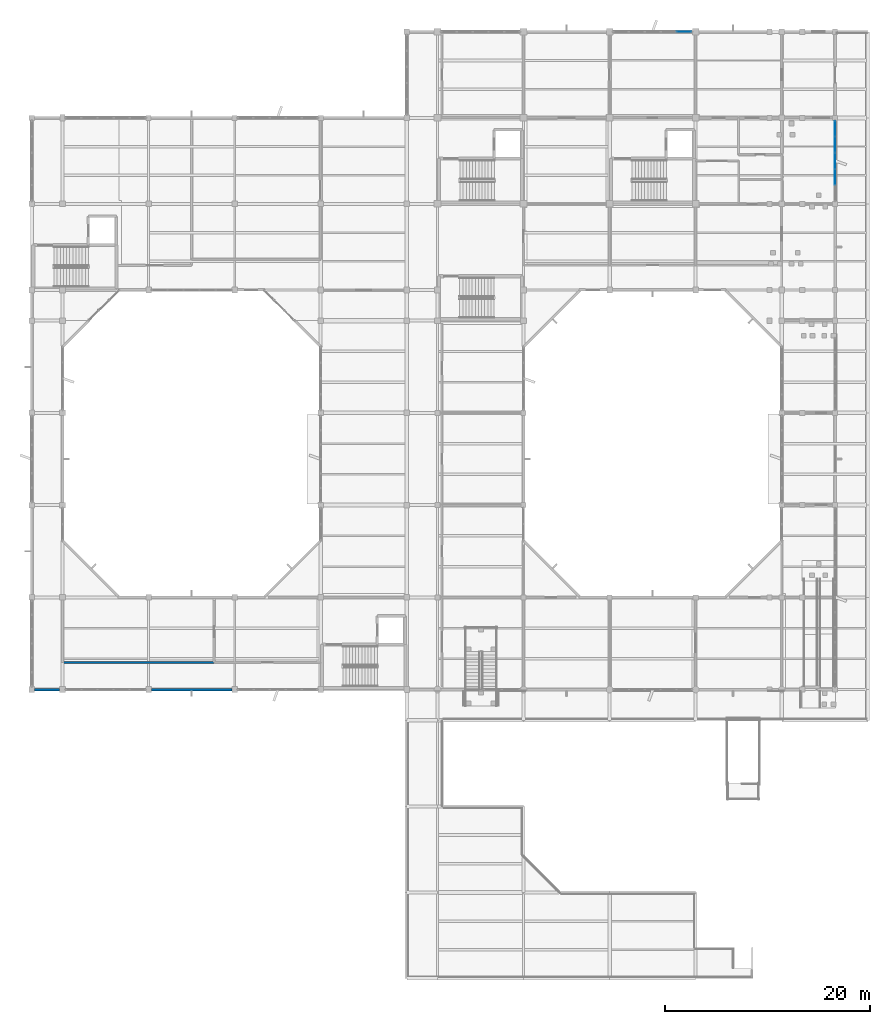
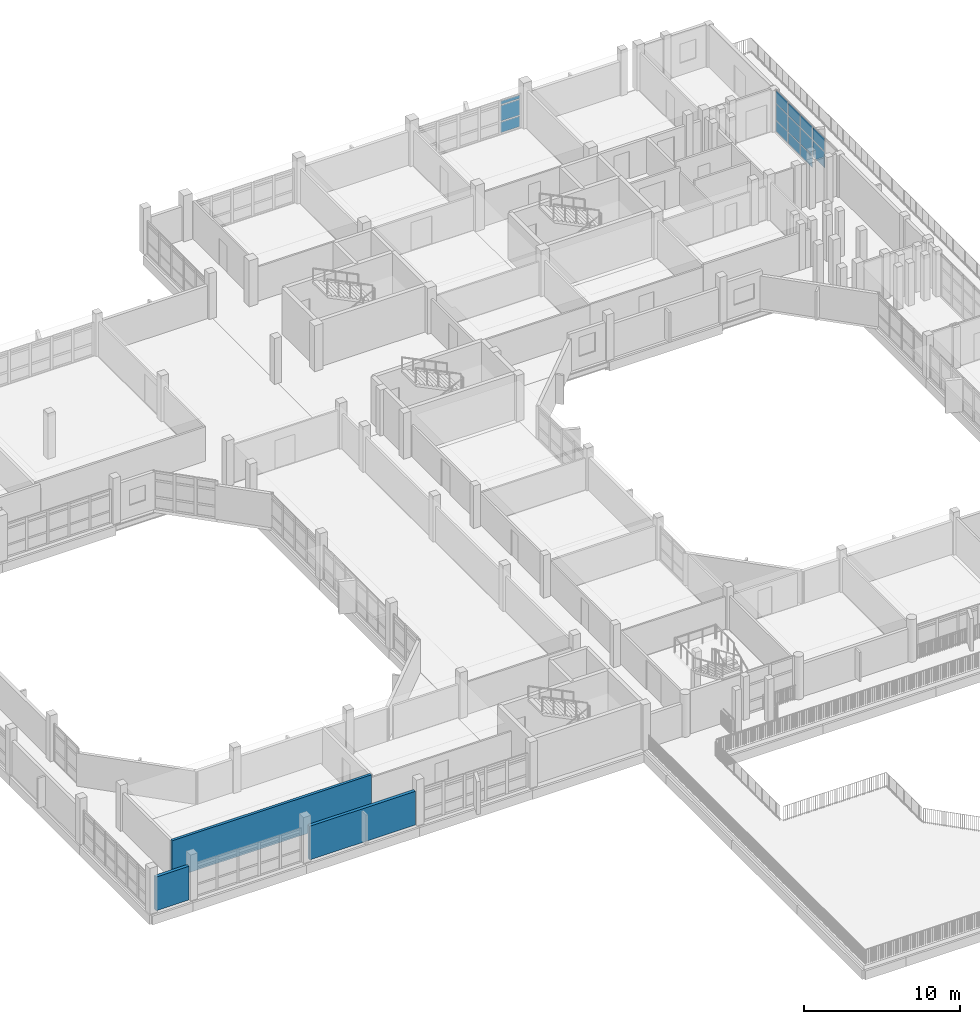
# One storey, part 29 of 51: 14 plates, 3 walls, 2 elements without a shape of their own.
"""IFC4 building model written with IfcOpenShell, lengths in metres."""

from ifc_helpers import new_model, si_unit, direction, frame, frame_2d, origin, origin_2d, place, context, subcontext, project, spatial, rectangle, extrude, material, layer, layer_set, type_object, element, aggregate, save


model = new_model("IFC4")

# Units and contexts
model_context = context("Model", 3, precision=1e-05, world=origin(), true_north=direction((0.0, 1.0)))
body_context = subcontext(model_context, "Body", "Model", "MODEL_VIEW")
ifc_project = project(units=[si_unit("LENGTHUNIT", "METRE"), si_unit("AREAUNIT", "SQUARE_METRE"), si_unit("VOLUMEUNIT", "CUBIC_METRE"), si_unit("PLANEANGLEUNIT", "RADIAN"), si_unit("MASSUNIT", "GRAM", prefix="KILO")], contexts=[model_context])

# Site, building, storey
site_placement = place(None, origin())
site = spatial("IfcSite", under=ifc_project, at=site_placement, CompositionType="ELEMENT")
building_placement = place(site_placement, origin())
building = spatial("IfcBuilding", under=site, at=building_placement, Name="Vanh Quang Courtyard School", CompositionType="ELEMENT")
storey_placement = place(building_placement, frame((0.0, 0.0, 11.39990234375)))
storey = spatial("IfcBuildingStorey", under=building, at=storey_placement, Name="L03", CompositionType="ELEMENT", Elevation=11.39990234375)

# Curtain wall, plates
ifc_material_1 = material(Name="Thermally broken aluminium unitised curtain wall", Category="aluminium")
curtain_wall_type_1 = type_object("IfcCurtainWallType", Name="CW-SYS-58", PredefinedType="NOTDEFINED", material=ifc_material_1)
curtain_wall_1_placement = place(storey_placement, origin())
curtain_wall_1 = element("IfcCurtainWall", 1, at=curtain_wall_1_placement, inside=storey, type_object=curtain_wall_type_1, Name="Curtain Wall CW-58 (L03)", PredefinedType="NOTDEFINED")
ifc_material_2 = material(Name="Low-E laminated double glazing", Category="glass")
ifc_layer_1 = layer(ifc_material_2, 0.028076171875)
ifc_layer_set_1 = layer_set([ifc_layer_1], Name="Low-E laminated double glazing")
plate_type_1 = type_object("IfcPlateType", Name="CW-PNL-28", PredefinedType="CURTAIN_PANEL", material=ifc_layer_set_1)
plate_1_placement = place(storey_placement, frame((116.199951171875, 87.138671875, 0.06005859375), z_axis=(0.0, 0.0, 1.0), x_axis=(0.0, -1.0, 0.0)))
plate_1 = element("IfcPlate", 2, at=plate_1_placement, type_object=plate_type_1, Name="CW-58 panel 1.1", PredefinedType="CURTAIN_PANEL", context=body_context, shape_type="SweptSolid", body=[
    extrude(rectangle(XDim=1.48681640625, YDim=0.028076171875, at=origin_2d()), origin(), (0.0, 0.0, 1.0), 0.860107421875),
])
plate_2_placement = place(storey_placement, frame((116.199951171875, 87.138671875, 0.97998046875), z_axis=(0.0, 0.0, 1.0), x_axis=(0.0, -1.0, 0.0)))
plate_2 = element("IfcPlate", 3, at=plate_2_placement, type_object=plate_type_1, Name="CW-58 panel 1.2", PredefinedType="CURTAIN_PANEL", context=body_context, shape_type="SweptSolid", body=[
    extrude(rectangle(XDim=1.48681640625, YDim=0.028076171875, at=origin_2d()), origin(), (0.0, 0.0, 1.0), 1.239990234375),
])
plate_3_placement = place(storey_placement, frame((116.199951171875, 87.138671875, 2.280029296875), z_axis=(0.0, 0.0, 1.0), x_axis=(0.0, -1.0, 0.0)))
plate_3 = element("IfcPlate", 4, at=plate_3_placement, type_object=plate_type_1, Name="CW-58 panel 1.3", PredefinedType="CURTAIN_PANEL", context=body_context, shape_type="SweptSolid", body=[
    extrude(rectangle(XDim=1.48681640625, YDim=0.028076171875, at=origin_2d()), origin(), (0.0, 0.0, 1.0), 1.0),
])
plate_4_placement = place(storey_placement, frame((116.199951171875, 85.576904296875, 0.06005859375), z_axis=(0.0, 0.0, 1.0), x_axis=(0.0, -1.0, 0.0)))
plate_4 = element("IfcPlate", 5, at=plate_4_placement, type_object=plate_type_1, Name="CW-58 panel 2.1", PredefinedType="CURTAIN_PANEL", context=body_context, shape_type="SweptSolid", body=[
    extrude(rectangle(XDim=1.516845703125, YDim=0.028076171875, at=origin_2d()), origin(), (0.0, 0.0, 1.0), 0.860107421875),
])
plate_5_placement = place(storey_placement, frame((116.199951171875, 85.576904296875, 0.97998046875), z_axis=(0.0, 0.0, 1.0), x_axis=(0.0, -1.0, 0.0)))
plate_5 = element("IfcPlate", 6, at=plate_5_placement, type_object=plate_type_1, Name="CW-58 panel 2.2", PredefinedType="CURTAIN_PANEL", context=body_context, shape_type="SweptSolid", body=[
    extrude(rectangle(XDim=1.516845703125, YDim=0.028076171875, at=origin_2d()), origin(), (0.0, 0.0, 1.0), 1.239990234375),
])
plate_6_placement = place(storey_placement, frame((116.199951171875, 85.576904296875, 2.280029296875), z_axis=(0.0, 0.0, 1.0), x_axis=(0.0, -1.0, 0.0)))
plate_6 = element("IfcPlate", 7, at=plate_6_placement, type_object=plate_type_1, Name="CW-58 panel 2.3", PredefinedType="CURTAIN_PANEL", context=body_context, shape_type="SweptSolid", body=[
    extrude(rectangle(XDim=1.516845703125, YDim=0.028076171875, at=origin_2d()), origin(), (0.0, 0.0, 1.0), 1.0),
])
plate_7_placement = place(storey_placement, frame((116.199951171875, 84.0, 0.06005859375), z_axis=(0.0, 0.0, 1.0), x_axis=(0.0, -1.0, 0.0)))
plate_7 = element("IfcPlate", 8, at=plate_7_placement, type_object=plate_type_1, Name="CW-58 panel 3.1", PredefinedType="CURTAIN_PANEL", context=body_context, shape_type="SweptSolid", body=[
    extrude(rectangle(XDim=1.516845703125, YDim=0.028076171875, at=origin_2d()), origin(), (0.0, 0.0, 1.0), 0.860107421875),
])
plate_8_placement = place(storey_placement, frame((116.199951171875, 84.0, 0.97998046875), z_axis=(0.0, 0.0, 1.0), x_axis=(0.0, -1.0, 0.0)))
plate_8 = element("IfcPlate", 9, at=plate_8_placement, type_object=plate_type_1, Name="CW-58 panel 3.2", PredefinedType="CURTAIN_PANEL", context=body_context, shape_type="SweptSolid", body=[
    extrude(rectangle(XDim=1.516845703125, YDim=0.028076171875, at=origin_2d()), origin(), (0.0, 0.0, 1.0), 1.239990234375),
])
plate_9_placement = place(storey_placement, frame((116.199951171875, 84.0, 2.280029296875), z_axis=(0.0, 0.0, 1.0), x_axis=(0.0, -1.0, 0.0)))
plate_9 = element("IfcPlate", 10, at=plate_9_placement, type_object=plate_type_1, Name="CW-58 panel 3.3", PredefinedType="CURTAIN_PANEL", context=body_context, shape_type="SweptSolid", body=[
    extrude(rectangle(XDim=1.516845703125, YDim=0.028076171875, at=origin_2d()), origin(), (0.0, 0.0, 1.0), 1.0),
])
plate_10_placement = place(storey_placement, frame((116.199951171875, 82.423095703125, 0.97998046875), z_axis=(0.0, 0.0, 1.0), x_axis=(0.0, -1.0, 0.0)))
plate_10 = element("IfcPlate", 11, at=plate_10_placement, type_object=plate_type_1, Name="CW-58 panel 4.2", PredefinedType="CURTAIN_PANEL", context=body_context, shape_type="SweptSolid", body=[
    extrude(rectangle(XDim=1.516845703125, YDim=0.028076171875, at=origin_2d()), origin(), (0.0, 0.0, 1.0), 1.239990234375),
])
plate_11_placement = place(storey_placement, frame((116.199951171875, 82.423095703125, 2.280029296875), z_axis=(0.0, 0.0, 1.0), x_axis=(0.0, -1.0, 0.0)))
plate_11 = element("IfcPlate", 12, at=plate_11_placement, type_object=plate_type_1, Name="CW-58 panel 4.3", PredefinedType="CURTAIN_PANEL", context=body_context, shape_type="SweptSolid", body=[
    extrude(rectangle(XDim=1.516845703125, YDim=0.028076171875, at=origin_2d()), origin(), (0.0, 0.0, 1.0), 1.0),
])
aggregate(curtain_wall_1, [plate_1, plate_2, plate_3, plate_4, plate_5, plate_6, plate_7, plate_8, plate_9, plate_10, plate_11])

curtain_wall_type_2 = type_object("IfcCurtainWallType", Name="CW-SYS-21", PredefinedType="NOTDEFINED", material=ifc_material_1)
curtain_wall_2_placement = place(storey_placement, origin())
curtain_wall_2 = element("IfcCurtainWall", 13, at=curtain_wall_2_placement, inside=storey, type_object=curtain_wall_type_2, Name="Curtain Wall CW-21 (L03)", PredefinedType="NOTDEFINED")
ifc_layer_2 = layer(ifc_material_2, 0.031982421875)
ifc_layer_set_2 = layer_set([ifc_layer_2], Name="Low-E laminated double glazing")
plate_type_2 = type_object("IfcPlateType", Name="CW-PNL-32", PredefinedType="CURTAIN_PANEL", material=ifc_layer_set_2)
plate_12_placement = place(storey_placement, frame((101.4736328125, 96.60009765625, 0.080078125), z_axis=(0.0, 0.0, 1.0), x_axis=(1.0, 0.0, 0.0)))
plate_12 = element("IfcPlate", 14, at=plate_12_placement, type_object=plate_type_2, Name="CW-21 panel 5.1", PredefinedType="CURTAIN_PANEL", context=body_context, shape_type="SweptSolid", body=[
    extrude(rectangle(XDim=1.4267578125, YDim=0.031982421875, at=origin_2d()), origin(), (0.0, 0.0, 1.0), 0.830078125),
])
plate_13_placement = place(storey_placement, frame((101.4736328125, 96.60009765625, 0.990234375), z_axis=(0.0, 0.0, 1.0), x_axis=(1.0, 0.0, 0.0)))
plate_13 = element("IfcPlate", 15, at=plate_13_placement, type_object=plate_type_2, Name="CW-21 panel 5.2", PredefinedType="CURTAIN_PANEL", context=body_context, shape_type="SweptSolid", body=[
    extrude(rectangle(XDim=1.4267578125, YDim=0.031982421875, at=origin_2d()), origin(), (0.0, 0.0, 1.0), 1.219970703125),
])
plate_14_placement = place(storey_placement, frame((101.4736328125, 96.60009765625, 2.2900390625), z_axis=(0.0, 0.0, 1.0), x_axis=(1.0, 0.0, 0.0)))
plate_14 = element("IfcPlate", 16, at=plate_14_placement, type_object=plate_type_2, Name="CW-21 panel 5.3", PredefinedType="CURTAIN_PANEL", context=body_context, shape_type="SweptSolid", body=[
    extrude(rectangle(XDim=1.4267578125, YDim=0.031982421875, at=origin_2d()), origin(), (0.0, 0.0, 1.0), 0.27001953125),
])
aggregate(curtain_wall_2, [plate_12, plate_13, plate_14])

# Walls
ifc_material_3 = material(Name="Concrete C30/37", Category="concrete")
ifc_layer_3 = layer(ifc_material_3, 0.199951171875)
ifc_layer_set_3 = layer_set([ifc_layer_3], Name="Concrete C30/37")
wall_type_1 = type_object("IfcWallType", Name="W-COMP-200", PredefinedType="PARTITIONING", material=ifc_layer_set_3)
wall_1_placement = place(storey_placement, frame((55.60009765625, 35.02001953125, 0.0), z_axis=(0.0, 0.0, 1.0), x_axis=(-1.0, 0.0, 0.0)))
element("IfcWall", 17, at=wall_1_placement, inside=storey, type_object=wall_type_1, Name="Wall W-COMP1 (L03)", PredefinedType="PARTITIONING", context=body_context, shape_type="SweptSolid", body=[
    extrude(rectangle(XDim=14.800048828125, YDim=0.199951171875, at=frame_2d((7.39990234375, 0.0))), origin(), (0.0, 0.0, 1.0), 2.940185546875),
])
ifc_material_4 = material(Name="Precast concrete C40/50", Category="concrete")
ifc_layer_4 = layer(ifc_material_4, 0.239990234375)
ifc_layer_set_4 = layer_set([ifc_layer_4], Name="Precast concrete C40/50")
wall_type_2 = type_object("IfcWallType", Name="W-EXT-240", PredefinedType="SOLIDWALL", material=ifc_layer_set_4)
wall_2_placement = place(storey_placement, frame((57.326904296875, 32.39990234375, 0.0), z_axis=(0.0, 0.0, 1.0), x_axis=(-1.0, 0.0, 0.0)))
element("IfcWall", 18, at=wall_2_placement, inside=storey, type_object=wall_type_2, Name="Wall WE-03 (L03)", PredefinedType="SOLIDWALL", context=body_context, shape_type="SweptSolid", body=[
    extrude(rectangle(XDim=7.85400390625, YDim=0.239990234375, at=frame_2d((3.927001953125, 0.0))), origin(), (0.0, 0.0, 1.0), 2.64013671875),
])
wall_3_placement = place(storey_placement, frame((40.527099609375, 32.39990234375, 0.0), z_axis=(0.0, 0.0, 1.0), x_axis=(-1.0, 0.0, 0.0)))
element("IfcWall", 19, at=wall_3_placement, inside=storey, type_object=wall_type_2, Name="Wall WE-03 (L03)", PredefinedType="SOLIDWALL", context=body_context, shape_type="SweptSolid", body=[
    extrude(rectangle(XDim=2.4541015625, YDim=0.239990234375, at=frame_2d((1.22705078125, 0.0))), origin(), (0.0, 0.0, 1.0), 2.64013671875),
])

save(model, "model.ifc")
